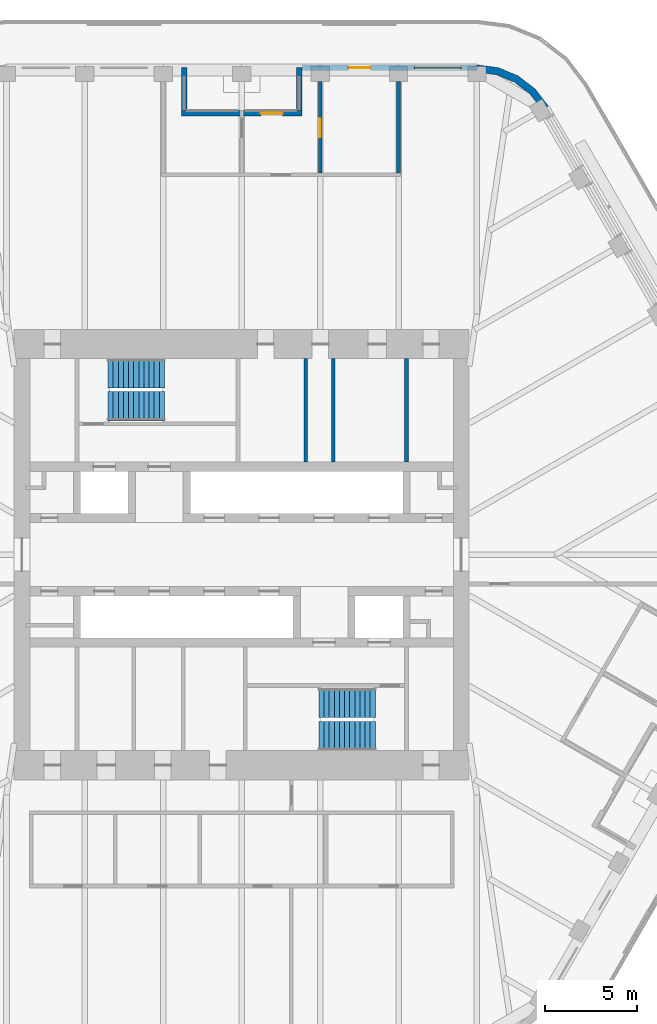
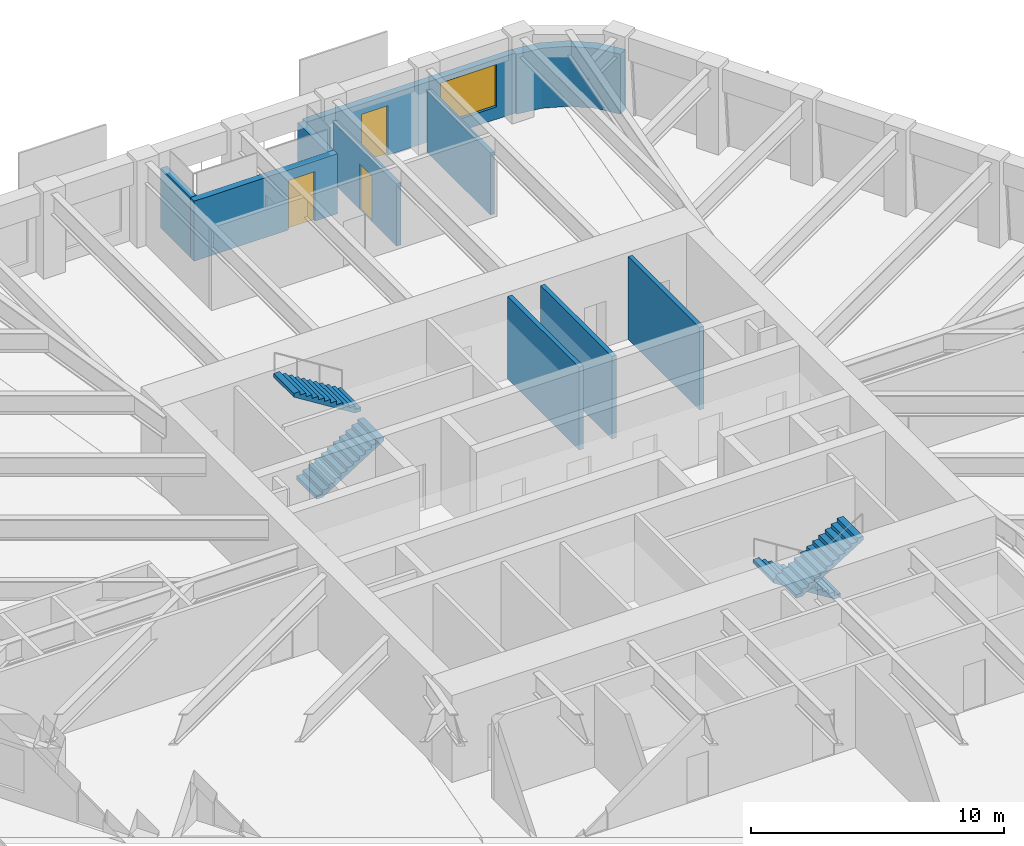
# One storey, part 16 of 19: 10 walls, 4 stair flights, 3 doors, 1 window, 4 openings, 2 elements without a shape of their own.
"""IFC4 building model written with IfcOpenShell, lengths in metres."""

from ifc_helpers import new_model, si_unit, direction, frame, frame_2d, origin, place, context, subcontext, project, spatial, polyline, rectangle, outline, extrude, material, layer, layer_set, type_object, element, fill, aggregate, save


model = new_model("IFC4")

# Units and contexts
model_context = context("Model", 3, precision=1e-05, world=origin(), true_north=direction((0.0, 1.0)))
body_context = subcontext(model_context, "Body", "Model", "MODEL_VIEW")
ifc_project = project(units=[si_unit("LENGTHUNIT", "METRE"), si_unit("AREAUNIT", "SQUARE_METRE"), si_unit("VOLUMEUNIT", "CUBIC_METRE"), si_unit("PLANEANGLEUNIT", "RADIAN"), si_unit("MASSUNIT", "GRAM", prefix="KILO")], contexts=[model_context])

# Site, building, storey
site_placement = place(None, origin())
site = spatial("IfcSite", under=ifc_project, at=site_placement, CompositionType="ELEMENT")
building_placement = place(site_placement, origin())
building = spatial("IfcBuilding", under=site, at=building_placement, Name="Tarfa Lantern Tower", CompositionType="ELEMENT")
storey_placement = place(building_placement, frame((0.0, 0.0, 336.699951171875)))
storey = spatial("IfcBuildingStorey", under=building, at=storey_placement, Name="L76", CompositionType="ELEMENT", Elevation=336.699951171875)

# Wall, openings, door, window
ifc_material_1 = material(Name="Limestone cladding on blockwork", Category="masonry")
ifc_layer_1 = layer(ifc_material_1, 0.300048828125)
ifc_layer_set_1 = layer_set([ifc_layer_1], Name="EW1 STONE-CLAD WALL 300")
wall_type_1 = type_object("IfcWallType", Name="EW1 STONE-CLAD WALL 300", PredefinedType="SOLIDWALL", material=ifc_layer_set_1)
wall_1_placement = place(storey_placement, frame((12.845947265625, 26.60009765625, 0.0), z_axis=(0.0, 0.0, 1.0), x_axis=(-1.0, 0.0, 0.0)))
wall_1 = element("IfcWall", 1, at=wall_1_placement, inside=storey, type_object=wall_type_1, Name="Stone wall N", PredefinedType="SOLIDWALL", context=body_context, shape_type="SweptSolid", body=[
    extrude(rectangle(XDim=9.56396484375, YDim=0.300048828125, at=frame_2d((4.781982421875, 0.0))), origin(), (0.0, 0.0, 1.0), 2.900146484375),
])
opening_1_placement = place(wall_1_placement, frame((0.865966796875, 0.0, 0.60009765625)))
opening_1 = element("IfcOpeningElement", 2, at=opening_1_placement, cuts=wall_1, Name="Opening W17", PredefinedType="OPENING", context=body_context, shape_type="SweptSolid", body=[
    extrude(rectangle(XDim=2.550048828125, YDim=2.050048828125, at=frame_2d((1.27490234375, 1.02490234375))), frame((0.0, 0.159912109375, 0.0), z_axis=(0.0, -1.0, 0.0), x_axis=(1.0, 0.0, 0.0)), (0.0, 0.0, 1.0), 0.320068359375),
])
opening_2_placement = place(wall_1_placement, frame((5.822998046875, 0.0, 0.0)))
opening_2 = element("IfcOpeningElement", 3, at=opening_2_placement, cuts=wall_1, Name="Opening D35", PredefinedType="OPENING", context=body_context, shape_type="SweptSolid", body=[
    extrude(rectangle(XDim=1.199951171875, YDim=2.39990234375, at=frame_2d((0.60009765625, 1.199951171875))), frame((0.0, 0.159912109375, 0.0), z_axis=(0.0, -1.0, 0.0), x_axis=(1.0, 0.0, 0.0)), (0.0, 0.0, 1.0), 0.320068359375),
])
ifc_material_2 = material(Name="Aluminium framed glazed door", Category="aluminium")
door_type_1 = type_object("IfcDoorType", Name="BE3 BALCONY DOOR 1200x2400", OperationType="SINGLE_SWING_RIGHT", PredefinedType="DOOR", material=ifc_material_2)
door_1_placement = place(opening_2_placement, origin())
door_1 = element("IfcDoor", 4, at=door_1_placement, inside=storey, type_object=door_type_1, Name="Balcony door N", OperationType="SINGLE_SWING_LEFT", OverallHeight=2.39990234375, OverallWidth=1.199951171875, PredefinedType="DOOR", context=body_context, shape_type="SweptSolid", body=[
    extrude(rectangle(XDim=1.199951171875, YDim=2.39990234375, at=frame_2d((0.60009765625, 1.199951171875))), frame((0.0, 0.02490234375, 0.0), z_axis=(0.0, -1.0, 0.0), x_axis=(1.0, 0.0, 0.0)), (0.0, 0.0, 1.0), 0.050048828125),
])
fill(opening_2, door_1)
ifc_material_3 = material(Name="Aluminium frame, double glazed", Category="aluminium")
window_type = type_object("IfcWindowType", Name="W17 FULL-HEIGHT GLAZING 2550x2050", PartitioningType="SINGLE_PANEL", PredefinedType="WINDOW", material=ifc_material_3)
window_placement = place(opening_1_placement, origin())
window = element("IfcWindow", 5, at=window_placement, inside=storey, type_object=window_type, Name="Window N 1", OverallHeight=2.050048828125, OverallWidth=2.550048828125, PartitioningType="SINGLE_PANEL", PredefinedType="WINDOW", context=body_context, shape_type="SweptSolid", body=[
    extrude(rectangle(XDim=2.550048828125, YDim=2.050048828125, at=frame_2d((1.27490234375, 1.02490234375))), frame((0.0, 0.030029296875, 0.0), z_axis=(0.0, -1.0, 0.0), x_axis=(1.0, 0.0, 0.0)), (0.0, 0.0, 1.0), 0.06005859375),
])
fill(opening_1, window)

# Walls
for number, where, z_axis, x_axis, name in (
    (6, (3.132080078125, 26.60009765625, 0.0), (0.0, 0.0, 1.0), (0.0, -1.0, 0.0), "Terrace return N 1"),
    (7, (-3.132080078125, 26.60009765625, 0.0), (0.0, 0.0, 1.0), (0.0, -1.0, 0.0), "Terrace return N 2"),
):
    element("IfcWall", number, at=place(storey_placement, frame(where, z_axis=z_axis, x_axis=x_axis)), inside=storey, type_object=wall_type_1, Name=name, PredefinedType="SOLIDWALL", context=body_context, shape_type="SweptSolid", body=[
        extrude(rectangle(XDim=2.35009765625, YDim=0.300048828125, at=frame_2d((1.175048828125, 0.0))), origin(), (0.0, 0.0, 1.0), 2.900146484375),
    ])

# Wall, opening, door
wall_2_placement = place(storey_placement, frame((3.281982421875, 24.10009765625, 0.0), z_axis=(0.0, 0.0, 1.0), x_axis=(-1.0, 0.0, 0.0)))
wall_2 = element("IfcWall", 8, at=wall_2_placement, inside=storey, type_object=wall_type_1, Name="Stone wall NS", PredefinedType="SOLIDWALL", context=body_context, shape_type="SweptSolid", body=[
    extrude(rectangle(XDim=6.56396484375, YDim=0.300048828125, at=frame_2d((3.281982421875, 0.0))), origin(), (0.0, 0.0, 1.0), 2.900146484375),
])
opening_3_placement = place(wall_2_placement, frame((1.041015625, 0.0, 0.0)))
opening_3 = element("IfcOpeningElement", 9, at=opening_3_placement, cuts=wall_2, Name="Opening D36", PredefinedType="OPENING", context=body_context, shape_type="SweptSolid", body=[
    extrude(rectangle(XDim=1.199951171875, YDim=2.39990234375, at=frame_2d((0.60009765625, 1.199951171875))), frame((0.0, 0.159912109375, 0.0), z_axis=(0.0, -1.0, 0.0), x_axis=(1.0, 0.0, 0.0)), (0.0, 0.0, 1.0), 0.320068359375),
])
door_2_placement = place(opening_3_placement, origin())
door_2 = element("IfcDoor", 10, at=door_2_placement, inside=storey, type_object=door_type_1, Name="Balcony door NS", OperationType="SINGLE_SWING_LEFT", OverallHeight=2.39990234375, OverallWidth=1.199951171875, PredefinedType="DOOR", context=body_context, shape_type="SweptSolid", body=[
    extrude(rectangle(XDim=1.199951171875, YDim=2.39990234375, at=frame_2d((0.60009765625, 1.199951171875))), frame((0.0, 0.02490234375, 0.0), z_axis=(0.0, -1.0, 0.0), x_axis=(1.0, 0.0, 0.0)), (0.0, 0.0, 1.0), 0.050048828125),
])
fill(opening_3, door_2)

# Walls
ifc_layer_2 = layer(ifc_material_1, 0.39990234375)
ifc_layer_set_2 = layer_set([ifc_layer_2], Name="EW2 CURVED STONE CORNER 400")
wall_type_2 = type_object("IfcWallType", Name="EW2 CURVED STONE CORNER 400", PredefinedType="SOLIDWALL", material=ifc_layer_set_2)
wall_3_placement = place(storey_placement, origin())
element("IfcWall", 11, at=wall_3_placement, inside=storey, type_object=wall_type_2, Name="Stone corner NE-N", PredefinedType="SOLIDWALL", context=body_context, shape_type="SweptSolid", body=[
    extrude(outline(polyline([(16.7431640625, 24.5), (16.028076171875, 25.431884765625), (15.095947265625, 26.147216796875), (14.0107421875, 26.5966796875), (12.845947265625, 26.75), (12.845947265625, 26.35009765625), (13.9072265625, 26.210205078125), (14.89599609375, 25.80078125), (15.7451171875, 25.149169921875), (16.396728515625, 24.300048828125), (16.7431640625, 24.5)])), origin(), (0.0, 0.0, 1.0), 2.900146484375),
])
ifc_material_4 = material(Name="Concrete blockwork", Category="masonry")
ifc_layer_3 = layer(ifc_material_4, 0.199951171875)
ifc_layer_set_3 = layer_set([ifc_layer_3], Name="IW1 BLOCKWORK PARTITION 200 EI 120")
wall_type_3 = type_object("IfcWallType", Name="IW1 BLOCKWORK PARTITION 200 EI 120", PredefinedType="PARTITIONING", material=ifc_layer_set_3)
for number, where, z_axis, x_axis, name in (
    (12, (9.0, 5.050048828125, 0.0), (0.0, 0.0, 1.0), (0.0, 1.0, 0.0), "Core partition"),
    (13, (3.5, 5.050048828125, 0.0), (0.0, 0.0, 1.0), (0.0, 1.0, 0.0), "Core partition"),
    (14, (5.0, 5.050048828125, 0.0), (0.0, 0.0, 1.0), (0.0, 1.0, 0.0), "Core partition"),
):
    element("IfcWall", number, at=place(storey_placement, frame(where, z_axis=z_axis, x_axis=x_axis)), inside=storey, type_object=wall_type_3, Name=name, PredefinedType="PARTITIONING", context=body_context, shape_type="SweptSolid", body=[
        extrude(rectangle(XDim=5.64990234375, YDim=0.199951171875, at=frame_2d((2.824951171875, 0.0))), origin(), (0.0, 0.0, 1.0), 4.0),
    ])
ifc_material_5 = material(Name="Gypsum board on steel studs", Category="steel")
ifc_layer_4 = layer(ifc_material_5, 0.2099609375)
ifc_layer_set_4 = layer_set([ifc_layer_4], Name="IW2 ACOUSTIC PARTITION 200")
wall_type_4 = type_object("IfcWallType", Name="IW2 ACOUSTIC PARTITION 200", PredefinedType="PARTITIONING", material=ifc_layer_set_4)
wall_4_placement = place(storey_placement, frame((8.56396484375, 20.85009765625, 0.0), z_axis=(0.0, 0.0, 1.0), x_axis=(0.0, 1.0, 0.0)))
element("IfcWall", 15, at=wall_4_placement, inside=storey, type_object=wall_type_4, Name="Partition", PredefinedType="PARTITIONING", context=body_context, shape_type="SweptSolid", body=[
    extrude(rectangle(XDim=5.0, YDim=0.199951171875, at=frame_2d((2.5, 0.0))), origin(), (0.0, 0.0, 1.0), 2.991943359375),
])

# Wall, opening, door
wall_5_placement = place(storey_placement, frame((4.281982421875, 20.85009765625, 0.0), z_axis=(0.0, 0.0, 1.0), x_axis=(0.0, 1.0, 0.0)))
wall_5 = element("IfcWall", 16, at=wall_5_placement, inside=storey, type_object=wall_type_4, Name="Partition", PredefinedType="PARTITIONING", context=body_context, shape_type="SweptSolid", body=[
    extrude(rectangle(XDim=5.0, YDim=0.199951171875, at=frame_2d((2.5, 0.0))), origin(), (0.0, 0.0, 1.0), 2.991943359375),
])
opening_4_placement = place(wall_5_placement, frame((1.949951171875, 0.0, 0.0)))
opening_4 = element("IfcOpeningElement", 17, at=opening_4_placement, cuts=wall_5, Name="Opening D21", PredefinedType="OPENING", context=body_context, shape_type="SweptSolid", body=[
    extrude(rectangle(XDim=1.0, YDim=2.199951171875, at=frame_2d((0.5, 1.10009765625))), frame((0.0, 0.10986328125, 0.0), z_axis=(0.0, -1.0, 0.0), x_axis=(1.0, 0.0, 0.0)), (0.0, 0.0, 1.0), 0.219970703125),
])
ifc_material_6 = material(Name="Timber door", Category="wood")
door_type_2 = type_object("IfcDoorType", Name="DR1 ROOM DOOR 1000x2200", OperationType="SINGLE_SWING_LEFT", PredefinedType="DOOR", material=ifc_material_6)
door_3_placement = place(opening_4_placement, origin())
door_3 = element("IfcDoor", 18, at=door_3_placement, inside=storey, type_object=door_type_2, Name="Executive office door", OperationType="SINGLE_SWING_RIGHT", OverallHeight=2.199951171875, OverallWidth=1.0, PredefinedType="DOOR", context=body_context, shape_type="SweptSolid", body=[
    extrude(rectangle(XDim=1.0, YDim=2.199951171875, at=frame_2d((0.5, 1.10009765625))), frame((0.0, 0.02490234375, 0.0), z_axis=(0.0, -1.0, 0.0), x_axis=(1.0, 0.0, 0.0)), (0.0, 0.0, 1.0), 0.050048828125),
])
fill(opening_4, door_3)

# Stair, stair flights
ifc_material_7 = material(Name="Concrete C40/50", Category="concrete")
stair_type = type_object("IfcStairType", Name="ST-T10 HALF-TURN STAIR 4200 RISE", PredefinedType="HALF_TURN_STAIR", material=ifc_material_7)
stair_1_placement = place(storey_placement, origin())
stair_1 = element("IfcStair", 19, at=stair_1_placement, inside=storey, type_object=stair_type, Name="Stair ST1", PredefinedType="HALF_TURN_STAIR")
stair_flight_type = type_object("IfcStairFlightType", Name="SF1 STAIR FLIGHT", PredefinedType="STRAIGHT", material=ifc_material_7)
stair_flight_1_placement = place(storey_placement, frame((-7.300048828125, 8.10009765625, 0.0), z_axis=(0.0, 0.0, 1.0), x_axis=(1.0, 0.0, 0.0)))
stair_flight_1 = element("IfcStairFlight", 20, at=stair_flight_1_placement, type_object=stair_flight_type, Name="ST1 flight 1", NumberOfRisers=12, NumberOfTreads=11, PredefinedType="STRAIGHT", RiserHeight=0.175, TreadLength=0.28, context=body_context, shape_type="SweptSolid", body=[
    extrude(outline(polyline([(0.0, 0.0), (0.0, 0.175048828125), (0.280029296875, 0.175048828125), (0.280029296875, 0.35009765625), (0.56005859375, 0.35009765625), (0.56005859375, 0.52490234375), (0.840087890625, 0.52490234375), (0.840087890625, 0.699951171875), (1.1201171875, 0.699951171875), (1.1201171875, 0.875), (1.39990234375, 0.875), (1.39990234375, 1.050048828125), (1.679931640625, 1.050048828125), (1.679931640625, 1.22509765625), (1.9599609375, 1.22509765625), (1.9599609375, 1.39990234375), (2.239990234375, 1.39990234375), (2.239990234375, 1.574951171875), (2.52001953125, 1.574951171875), (2.52001953125, 1.75), (2.800048828125, 1.75), (2.800048828125, 1.925048828125), (3.080078125, 1.925048828125), (3.080078125, 2.10009765625), (3.080078125, 1.748291015625), (0.28271484375, 0.0), (0.0, 0.0)])), frame((0.0, 0.800048828125, 0.0), z_axis=(0.0, -1.0, 0.0), x_axis=(1.0, 0.0, 0.0)), (0.0, 0.0, 1.0), 1.60009765625),
])
stair_flight_2_placement = place(storey_placement, frame((-4.219970703125, 9.89990234375, 2.10009765625), z_axis=(0.0, 0.0, 1.0), x_axis=(-1.0, 0.0, 0.0)))
stair_flight_2 = element("IfcStairFlight", 21, at=stair_flight_2_placement, type_object=stair_flight_type, Name="ST1 flight 2", NumberOfRisers=12, NumberOfTreads=11, PredefinedType="STRAIGHT", RiserHeight=0.175, TreadLength=0.28, context=body_context, shape_type="SweptSolid", body=[
    extrude(outline(polyline([(0.0, 0.0), (0.0, 0.175048828125), (0.280029296875, 0.175048828125), (0.280029296875, 0.35009765625), (0.56005859375, 0.35009765625), (0.56005859375, 0.52490234375), (0.840087890625, 0.52490234375), (0.840087890625, 0.699951171875), (1.1201171875, 0.699951171875), (1.1201171875, 0.875), (1.39990234375, 0.875), (1.39990234375, 1.050048828125), (1.679931640625, 1.050048828125), (1.679931640625, 1.22509765625), (1.9599609375, 1.22509765625), (1.9599609375, 1.39990234375), (2.239990234375, 1.39990234375), (2.239990234375, 1.574951171875), (2.52001953125, 1.574951171875), (2.52001953125, 1.75), (2.800048828125, 1.75), (2.800048828125, 1.925048828125), (3.080078125, 1.925048828125), (3.080078125, 2.10009765625), (3.080078125, 1.748291015625), (0.28271484375, 0.0), (0.0, 0.0)])), frame((0.0, 0.800048828125, 0.0), z_axis=(0.0, -1.0, 0.0), x_axis=(1.0, 0.0, 0.0)), (0.0, 0.0, 1.0), 1.60009765625),
])
aggregate(stair_1, [stair_flight_1, stair_flight_2])

stair_2_placement = place(storey_placement, origin())
stair_2 = element("IfcStair", 22, at=stair_2_placement, inside=storey, type_object=stair_type, Name="Stair ST2", PredefinedType="HALF_TURN_STAIR")
stair_flight_3_placement = place(storey_placement, frame((7.300048828125, -8.10009765625, 0.0), z_axis=(0.0, 0.0, 1.0), x_axis=(-1.0, 0.0, 0.0)))
stair_flight_3 = element("IfcStairFlight", 23, at=stair_flight_3_placement, type_object=stair_flight_type, Name="ST2 flight 1", NumberOfRisers=12, NumberOfTreads=11, PredefinedType="STRAIGHT", RiserHeight=0.175, TreadLength=0.28, context=body_context, shape_type="SweptSolid", body=[
    extrude(outline(polyline([(0.0, 0.0), (0.0, 0.175048828125), (0.280029296875, 0.175048828125), (0.280029296875, 0.35009765625), (0.56005859375, 0.35009765625), (0.56005859375, 0.52490234375), (0.840087890625, 0.52490234375), (0.840087890625, 0.699951171875), (1.1201171875, 0.699951171875), (1.1201171875, 0.875), (1.39990234375, 0.875), (1.39990234375, 1.050048828125), (1.679931640625, 1.050048828125), (1.679931640625, 1.22509765625), (1.9599609375, 1.22509765625), (1.9599609375, 1.39990234375), (2.239990234375, 1.39990234375), (2.239990234375, 1.574951171875), (2.52001953125, 1.574951171875), (2.52001953125, 1.75), (2.800048828125, 1.75), (2.800048828125, 1.925048828125), (3.080078125, 1.925048828125), (3.080078125, 2.10009765625), (3.080078125, 1.748291015625), (0.28271484375, 0.0), (0.0, 0.0)])), frame((0.0, 0.800048828125, 0.0), z_axis=(0.0, -1.0, 0.0), x_axis=(1.0, 0.0, 0.0)), (0.0, 0.0, 1.0), 1.60009765625),
])
stair_flight_4_placement = place(storey_placement, frame((4.219970703125, -9.89990234375, 2.10009765625), z_axis=(0.0, 0.0, 1.0), x_axis=(1.0, 0.0, 0.0)))
stair_flight_4 = element("IfcStairFlight", 24, at=stair_flight_4_placement, type_object=stair_flight_type, Name="ST2 flight 2", NumberOfRisers=12, NumberOfTreads=11, PredefinedType="STRAIGHT", RiserHeight=0.175, TreadLength=0.28, context=body_context, shape_type="SweptSolid", body=[
    extrude(outline(polyline([(0.0, 0.0), (0.0, 0.175048828125), (0.280029296875, 0.175048828125), (0.280029296875, 0.35009765625), (0.56005859375, 0.35009765625), (0.56005859375, 0.52490234375), (0.840087890625, 0.52490234375), (0.840087890625, 0.699951171875), (1.1201171875, 0.699951171875), (1.1201171875, 0.875), (1.39990234375, 0.875), (1.39990234375, 1.050048828125), (1.679931640625, 1.050048828125), (1.679931640625, 1.22509765625), (1.9599609375, 1.22509765625), (1.9599609375, 1.39990234375), (2.239990234375, 1.39990234375), (2.239990234375, 1.574951171875), (2.52001953125, 1.574951171875), (2.52001953125, 1.75), (2.800048828125, 1.75), (2.800048828125, 1.925048828125), (3.080078125, 1.925048828125), (3.080078125, 2.10009765625), (3.080078125, 1.748291015625), (0.28271484375, 0.0), (0.0, 0.0)])), frame((0.0, 0.800048828125, 0.0), z_axis=(0.0, -1.0, 0.0), x_axis=(1.0, 0.0, 0.0)), (0.0, 0.0, 1.0), 1.60009765625),
])
aggregate(stair_2, [stair_flight_3, stair_flight_4])

save(model, "model.ifc")
